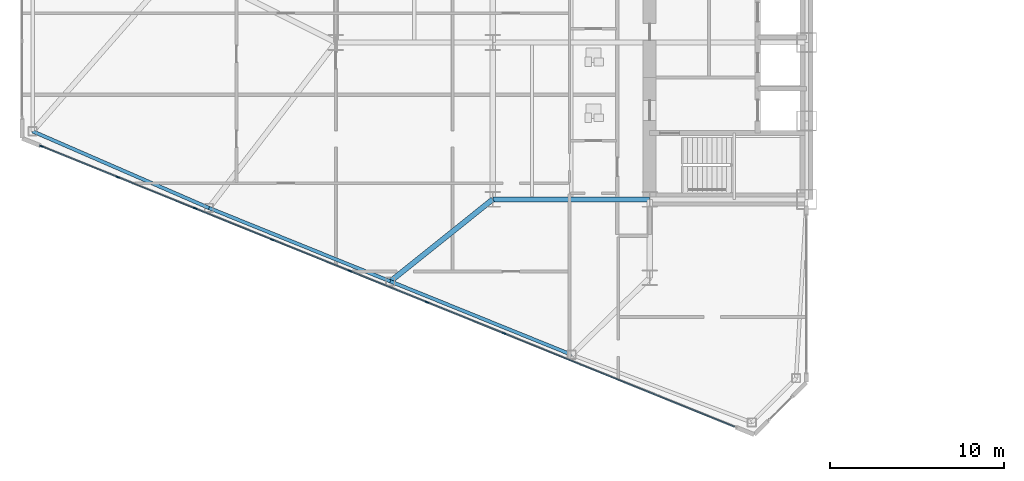
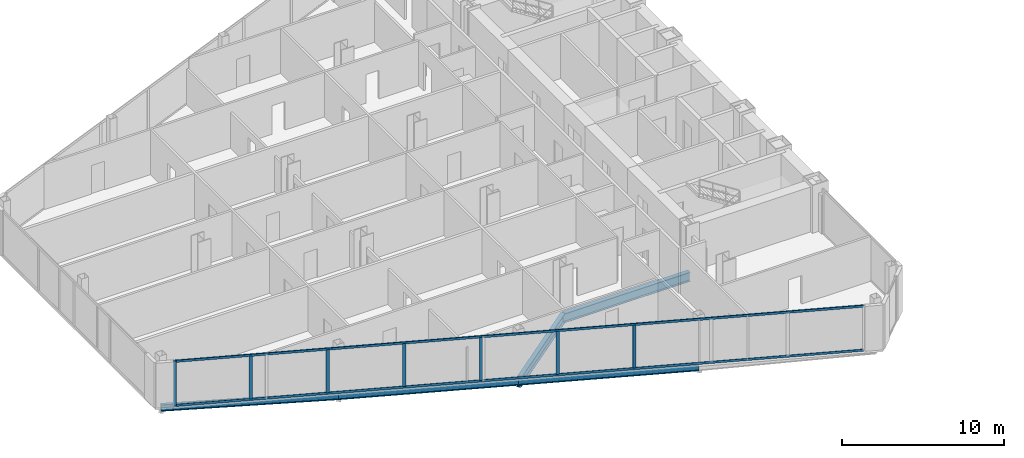
# One storey, part 3 of 25: 9 members, 5 beams, 1 element without a shape of its own.
"""IFC4 building model written with IfcOpenShell, lengths in metres."""

from ifc_helpers import new_model, si_unit, direction, frame, origin, origin_2d, place, context, subcontext, project, spatial, rectangle, i_section, extrude, source, transform, mapped, material, layer, layer_set, material_profile, profile_set, type_object, type_shapes, element, aggregate, save


model = new_model("IFC4")

# Units and contexts
model_context = context("Model", 3, precision=1e-05, world=origin(), true_north=direction((0.0, 1.0)))
body_context = subcontext(model_context, "Body", "Model", "MODEL_VIEW")
ifc_project = project(units=[si_unit("LENGTHUNIT", "METRE"), si_unit("AREAUNIT", "SQUARE_METRE"), si_unit("VOLUMEUNIT", "CUBIC_METRE"), si_unit("PLANEANGLEUNIT", "RADIAN"), si_unit("MASSUNIT", "GRAM", prefix="KILO")], contexts=[model_context])

# Site, building, storey
site_placement = place(None, origin())
site = spatial("IfcSite", under=ifc_project, at=site_placement, CompositionType="ELEMENT")
building_placement = place(site_placement, origin())
building = spatial("IfcBuilding", under=site, at=building_placement, Name="Seokmaru Belvedere", CompositionType="ELEMENT")
storey_placement = place(building_placement, frame((0.0, 0.0, 22.5)))
storey = spatial("IfcBuildingStorey", under=building, at=storey_placement, Name="L05", CompositionType="ELEMENT", Elevation=22.5)

# Beams
ifc_material_1 = material(Name="Steel SM355 (355 MPa)", Category="steel")
ifc_material_profile_1 = material_profile(ifc_material_1, i_section(OverallWidth=0.300048828125, OverallDepth=0.699951171875, WebThickness=0.012939453125, FlangeThickness=0.02392578125, at=origin_2d()), Name="H-700x300x13x24")
ifc_profile_set_1 = profile_set([ifc_material_profile_1], Name="Steel SM355 (355 MPa)")
beam_type_1 = type_object("IfcBeamType", Name="Primary Floor Girder H-700", PredefinedType="BEAM", material=ifc_profile_set_1)
shared_shape_1 = source(origin(), body_context, "Body", "SweptSolid", [
    extrude(i_section(OverallWidth=0.300048828125, OverallDepth=0.699951171875, WebThickness=0.012939453125, FlangeThickness=0.02392578125, at=origin_2d()), origin(), (0.0, 0.0, 1.0), 9.0),
])
beam_1_placement = place(storey_placement, frame((-45.5, -13.5, -0.570068359375), z_axis=(1.0, 0.0, 0.0), x_axis=(0.0, 1.0, 0.0)))
element("IfcBeam", 1, at=beam_1_placement, inside=storey, type_object=beam_type_1, Name="L05 W Wing Primary Girder 1", PredefinedType="BEAM", context=body_context, shape_type="MappedRepresentation", body=[
    mapped(shared_shape_1, transform((0.0, 0.0, 0.0), scale=1.0)),
])
ifc_material_profile_2 = material_profile(ifc_material_1, i_section(OverallWidth=0.199951171875, OverallDepth=0.5, WebThickness=0.010009765625, FlangeThickness=0.01611328125, at=origin_2d()), Name="H-500x200x10x16")
ifc_profile_set_2 = profile_set([ifc_material_profile_2], Name="Steel SM355 (355 MPa)")
beam_type_2 = type_object("IfcBeamType", Name="Perimeter Spandrel Beam H-500", PredefinedType="SPANDREL", material=ifc_profile_set_2)
shared_shape_2 = source(origin(), body_context, "Body", "SweptSolid", [
    extrude(i_section(OverallWidth=0.199951171875, OverallDepth=0.5, WebThickness=0.010009765625, FlangeThickness=0.01611328125, at=origin_2d()), origin(), (0.0, 0.0, 1.0), 11.220703125),
])
for number, where, z_axis, x_axis, name in (
    (2, (-40.977294921875, -22.4140625, -0.469970703125), (-0.926944290816, 0.375198989503, 0.0), (-0.375198989503, -0.926944290816, 0.0), "L05 W Faceted Flank Spandrel S-2"),
    (3, (-51.378173828125, -18.2041015625, -0.469970703125), (-0.926944290816, 0.375198989503, 0.0), (-0.375198989503, -0.926944290816, 0.0), "L05 W Faceted Flank Spandrel S-3"),
):
    element("IfcBeam", number, at=place(storey_placement, frame(where, z_axis=z_axis, x_axis=x_axis)), inside=storey, type_object=beam_type_2, Name=name, PredefinedType="SPANDREL", context=body_context, shape_type="MappedRepresentation", body=[
        mapped(shared_shape_2, transform((0.0, 0.0, 0.0), scale=1.0)),
    ])
shared_shape_3 = source(origin(), body_context, "Body", "SweptSolid", [
    extrude(i_section(OverallWidth=0.199951171875, OverallDepth=0.5, WebThickness=0.010009765625, FlangeThickness=0.01611328125, at=origin_2d()), origin(), (0.0, 0.0, 1.0), 11.035400390625),
])
type_shapes(beam_type_2, [shared_shape_2, shared_shape_3])
beam_2_placement = place(storey_placement, frame((-61.779052734375, -13.994140625, -0.469970703125), z_axis=(-0.917134058682, 0.398578873507, 0.0), x_axis=(-0.398578873507, -0.917134058682, 0.0)))
element("IfcBeam", 4, at=beam_2_placement, inside=storey, type_object=beam_type_2, Name="L05 W Faceted Flank Spandrel S-4", PredefinedType="SPANDREL", context=body_context, shape_type="MappedRepresentation", body=[
    mapped(shared_shape_3, transform((0.0, 0.0, 0.0), scale=1.0)),
])
shared_shape_4 = source(origin(), body_context, "Body", "SweptSolid", [
    extrude(i_section(OverallWidth=0.300048828125, OverallDepth=0.699951171875, WebThickness=0.012939453125, FlangeThickness=0.02392578125, at=origin_2d()), origin(), (0.0, 0.0, 1.0), 7.52880859375),
])
type_shapes(beam_type_1, [shared_shape_1, shared_shape_4])
beam_3_placement = place(storey_placement, frame((-51.378173828125, -18.2041015625, -0.570068359375), z_axis=(0.780767560736, 0.624821587418, 0.0), x_axis=(-0.624821587418, 0.780767560736, 0.0)))
element("IfcBeam", 5, at=beam_3_placement, inside=storey, type_object=beam_type_1, Name="L05 W Flank Radial Floor Girder S-2", PredefinedType="BEAM", context=body_context, shape_type="MappedRepresentation", body=[
    mapped(shared_shape_4, transform((0.0, 0.0, 0.0), scale=1.0)),
])

# Curtain wall, members
ifc_material_2 = material(Name="Bronze Triple Insulating Glass", Category="glass")
ifc_layer = layer(ifc_material_2, 0.2099609375)
ifc_layer_set = layer_set([ifc_layer], Name="Bronze Triple Insulating Glass")
curtain_wall_type = type_object("IfcCurtainWallType", Name="Low-Rise Faceted Crystal Curtain Wall System CW-2", PredefinedType="NOTDEFINED", material=ifc_layer_set)
curtain_wall_placement = place(storey_placement, origin())
curtain_wall = element("IfcCurtainWall", 6, at=curtain_wall_placement, inside=storey, type_object=curtain_wall_type, Name="L05 Curtain Wall WF5", PredefinedType="NOTDEFINED")
ifc_material_3 = material(Name="Anodised Bronze Aluminium", Category="aluminium")
ifc_material_profile_3 = material_profile(ifc_material_3, rectangle(XDim=0.074951171875, YDim=0.2099609375, at=origin_2d()), Name="CW-M-75x210")
ifc_profile_set_3 = profile_set([ifc_material_profile_3], Name="Anodised Bronze Aluminium")
member_type_1 = type_object("IfcMemberType", Name="Bronze Unitised Mullion 75x210", PredefinedType="MULLION", material=ifc_profile_set_3)
shared_shape_5 = source(origin(), body_context, "Body", "SweptSolid", [
    extrude(rectangle(XDim=0.074951171875, YDim=0.2099609375, at=origin_2d()), origin(), (0.0, 0.0, 1.0), 3.239990234375),
])
member_1_placement = place(storey_placement, frame((-67.004150390625, -12.224609375, 0.070068359375), z_axis=(0.0, 0.0, 1.0), x_axis=(0.375192321888, 0.926946989637, 0.0)))
member_1 = element("IfcMember", 7, at=member_1_placement, type_object=member_type_1, Name="CW:L05:WF5 Mullion 2", PredefinedType="MULLION", context=body_context, shape_type="MappedRepresentation", body=[
    mapped(shared_shape_5, transform((0.0, 0.0, 0.0), scale=1.0)),
])
member_2_placement = place(storey_placement, frame((-62.574462890625, -14.017578125, 0.070068359375), z_axis=(0.0, 0.0, 1.0), x_axis=(0.375192321888, 0.926946989637, 0.0)))
member_2 = element("IfcMember", 8, at=member_2_placement, type_object=member_type_1, Name="CW:L05:WF5 Mullion 3", PredefinedType="MULLION", context=body_context, shape_type="MappedRepresentation", body=[
    mapped(shared_shape_5, transform((0.0, 0.0, 0.0), scale=1.0)),
])
member_3_placement = place(storey_placement, frame((-58.144775390625, -15.810546875, 0.070068359375), z_axis=(0.0, 0.0, 1.0), x_axis=(0.375192321888, 0.926946989637, 0.0)))
member_3 = element("IfcMember", 9, at=member_3_placement, type_object=member_type_1, Name="CW:L05:WF5 Mullion 4", PredefinedType="MULLION", context=body_context, shape_type="MappedRepresentation", body=[
    mapped(shared_shape_5, transform((0.0, 0.0, 0.0), scale=1.0)),
])
member_4_placement = place(storey_placement, frame((-53.71484375, -17.603515625, 0.070068359375), z_axis=(0.0, 0.0, 1.0), x_axis=(0.375192321888, 0.926946989637, 0.0)))
member_4 = element("IfcMember", 10, at=member_4_placement, type_object=member_type_1, Name="CW:L05:WF5 Mullion 5", PredefinedType="MULLION", context=body_context, shape_type="MappedRepresentation", body=[
    mapped(shared_shape_5, transform((0.0, 0.0, 0.0), scale=1.0)),
])
member_5_placement = place(storey_placement, frame((-49.28515625, -19.396484375, 0.070068359375), z_axis=(0.0, 0.0, 1.0), x_axis=(0.375192321888, 0.926946989637, 0.0)))
member_5 = element("IfcMember", 11, at=member_5_placement, type_object=member_type_1, Name="CW:L05:WF5 Mullion 6", PredefinedType="MULLION", context=body_context, shape_type="MappedRepresentation", body=[
    mapped(shared_shape_5, transform((0.0, 0.0, 0.0), scale=1.0)),
])
member_6_placement = place(storey_placement, frame((-44.855224609375, -21.189453125, 0.070068359375), z_axis=(0.0, 0.0, 1.0), x_axis=(0.375192321888, 0.926946989637, 0.0)))
member_6 = element("IfcMember", 12, at=member_6_placement, type_object=member_type_1, Name="CW:L05:WF5 Mullion 7", PredefinedType="MULLION", context=body_context, shape_type="MappedRepresentation", body=[
    mapped(shared_shape_5, transform((0.0, 0.0, 0.0), scale=1.0)),
])
ifc_material_profile_4 = material_profile(ifc_material_3, rectangle(XDim=0.070068359375, YDim=0.1650390625, at=origin_2d()), Name="CW-T-70x165")
ifc_profile_set_4 = profile_set([ifc_material_profile_4], Name="Anodised Bronze Aluminium")
member_type_2 = type_object("IfcMemberType", Name="Bronze Unitised Transom 70x165", PredefinedType="USERDEFINED", material=ifc_profile_set_4)
shared_shape_6 = source(origin(), body_context, "Body", "SweptSolid", [
    extrude(rectangle(XDim=0.070068359375, YDim=0.1650390625, at=origin_2d()), origin(), (0.0, 0.0, 1.0), 42.860107421875),
])
type_shapes(member_type_2, [shared_shape_6])
member_7_placement = place(storey_placement, frame((-71.364501953125, -10.459716796875, 0.034912109375), z_axis=(0.926948605599, -0.375188329481, 0.0), x_axis=(0.375188329481, 0.926948605599, 0.0)))
member_7 = element("IfcMember", 13, at=member_7_placement, type_object=member_type_2, Name="CW:L05:WF5 Continuous Transom 1", ObjectType="TRANSOM", PredefinedType="USERDEFINED", context=body_context, shape_type="MappedRepresentation", body=[
    mapped(shared_shape_6, transform((0.0, 0.0, 0.0), scale=1.0)),
])
member_8_placement = place(storey_placement, frame((-71.364501953125, -10.459716796875, 3.344970703125), z_axis=(0.926948605599, -0.375188329481, 0.0), x_axis=(0.375188329481, 0.926948605599, 0.0)))
member_8 = element("IfcMember", 14, at=member_8_placement, type_object=member_type_2, Name="CW:L05:WF5 Continuous Transom 2", ObjectType="TRANSOM", PredefinedType="USERDEFINED", context=body_context, shape_type="MappedRepresentation", body=[
    mapped(shared_shape_6, transform((0.0, 0.0, 0.0), scale=1.0)),
])
shared_shape_7 = source(origin(), body_context, "Body", "SweptSolid", [
    extrude(rectangle(XDim=0.074951171875, YDim=0.2099609375, at=origin_2d()), origin(), (0.0, 0.0, 1.0), 3.3798828125),
])
type_shapes(member_type_1, [shared_shape_5, shared_shape_7])
member_9_placement = place(storey_placement, frame((-71.399169921875, -10.445556640625, 0.0), z_axis=(0.0, 0.0, 1.0), x_axis=(0.375192321888, 0.926946989637, 0.0)))
member_9 = element("IfcMember", 15, at=member_9_placement, type_object=member_type_1, Name="CW:L05:WF5 Mullion 1", PredefinedType="MULLION", context=body_context, shape_type="MappedRepresentation", body=[
    mapped(shared_shape_7, transform((0.0, 0.0, 0.0), scale=1.0)),
])
aggregate(curtain_wall, [member_9, member_1, member_2, member_3, member_4, member_5, member_6, member_7, member_8])

save(model, "model.ifc")
